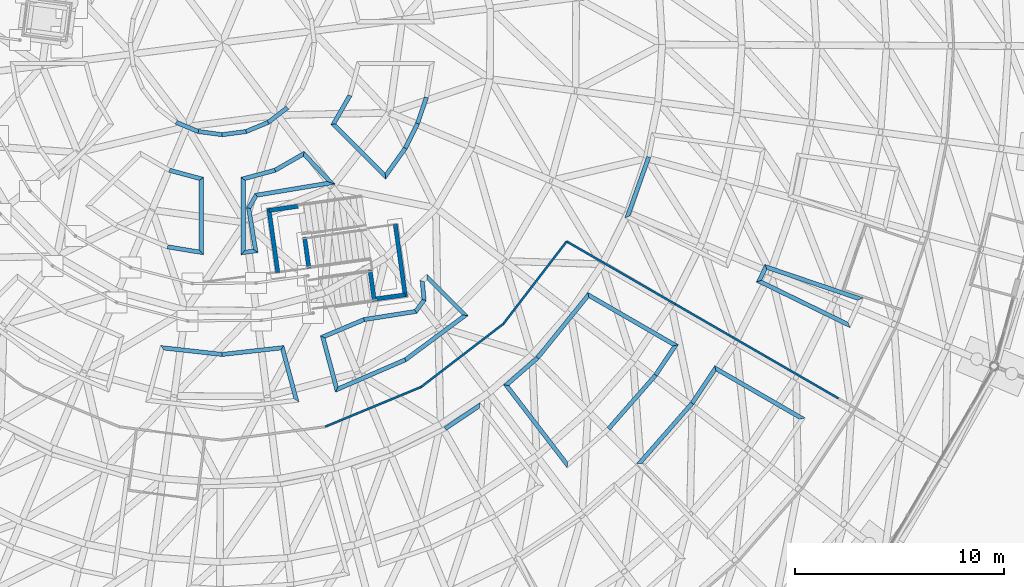
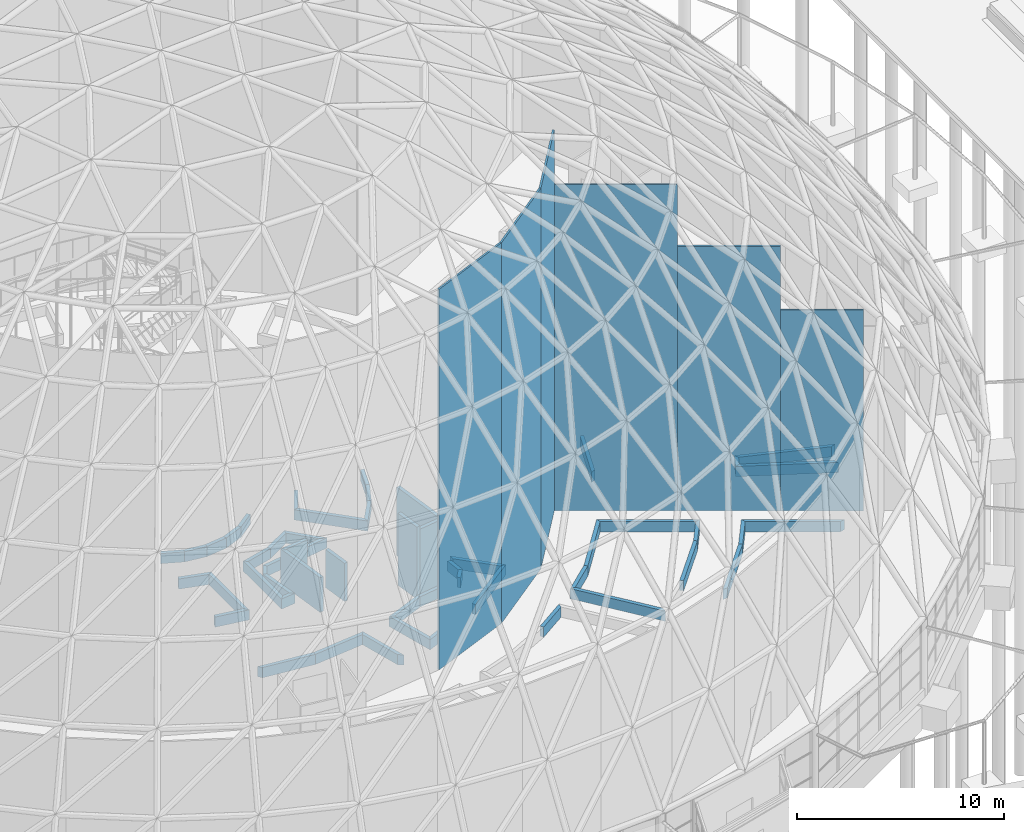
# One storey, part 176 of 226: 58 walls.
"""IFC4 building model written with IfcOpenShell, lengths in metres."""

from ifc_helpers import new_model, si_unit, direction, frame, frame_2d, origin, place, context, subcontext, project, spatial, polyline, rectangle, outline, extrude, material, layer, layer_set, type_object, element, save


model = new_model("IFC4")

# Units and contexts
model_context = context("Model", 3, precision=1e-05, world=origin(), true_north=direction((0.0, 1.0)))
body_context = subcontext(model_context, "Body", "Model", "MODEL_VIEW")
ifc_project = project(units=[si_unit("LENGTHUNIT", "METRE"), si_unit("AREAUNIT", "SQUARE_METRE"), si_unit("VOLUMEUNIT", "CUBIC_METRE"), si_unit("PLANEANGLEUNIT", "RADIAN"), si_unit("MASSUNIT", "GRAM", prefix="KILO")], contexts=[model_context])

# Site, building, storey
site_placement = place(None, origin())
site = spatial("IfcSite", under=ifc_project, at=site_placement, CompositionType="ELEMENT")
building_placement = place(site_placement, origin())
building = spatial("IfcBuilding", under=site, at=building_placement, Name="Ceibo Conservatory and Research Tower", CompositionType="ELEMENT")
storey_placement = place(building_placement, origin())
storey = spatial("IfcBuildingStorey", under=building, at=storey_placement, Name="L00", CompositionType="ELEMENT", Elevation=0.0)

# Walls
ifc_material_1 = material(Name="Aluminium and glass", Category="aluminium")
ifc_layer_1 = layer(ifc_material_1, 0.10009765625)
ifc_layer_set_1 = layer_set([ifc_layer_1], Name="Aluminium and glass")
wall_type_1 = type_object("IfcWallType", Name="Airlock screen wall 100", PredefinedType="PARTITIONING", material=ifc_layer_set_1)
for number, where, z_axis, x_axis, name in (
    (1, (160.91748046875, 89.6474609375, 0.0), (0.0, 0.0, 1.0), (0.923893254961, 0.382650301762, 0.0), "Glazed partition I"),
    (2, (165.5, 91.54541015625, 0.0), (0.0, 0.0, 1.0), (0.793348024649, 0.608768356425, 0.0), "Glazed partition I"),
):
    element("IfcWall", number, at=place(storey_placement, frame(where, z_axis=z_axis, x_axis=x_axis)), inside=storey, type_object=wall_type_1, Name=name, PredefinedType="PARTITIONING", context=body_context, shape_type="SweptSolid", body=[
        extrude(outline(polyline([(-0.006591796875, -0.050048828125), (4.966552734375, -0.050048828125), (4.953369140625, 0.050048828125), (0.006591796875, 0.050048828125), (-0.006591796875, -0.050048828125)])), origin(), (0.0, 0.0, 1.0), 22.484130859375),
    ])
wall_1_placement = place(storey_placement, frame((169.43505859375, 94.56494140625, 0.0), z_axis=(0.0, 0.0, 1.0), x_axis=(0.608768356425, 0.793348024649, 0.0)))
element("IfcWall", 3, at=wall_1_placement, inside=storey, type_object=wall_type_1, Name="Glazed partition I", PredefinedType="PARTITIONING", context=body_context, shape_type="SweptSolid", body=[
    extrude(outline(polyline([(-0.006591796875, -0.050048828125), (4.9599609375, -0.050048828125), (4.9599609375, 0.050048828125), (0.006591796875, 0.050048828125), (-0.006591796875, -0.050048828125)])), origin(), (0.0, 0.0, 1.0), 22.484130859375),
])
wall_2_placement = place(storey_placement, frame((172.454833984375, 98.499755859375, 0.0), z_axis=(0.0, 0.0, 1.0), x_axis=(0.866028371585, -0.499994859584, 0.0)))
element("IfcWall", 4, at=wall_2_placement, inside=storey, type_object=wall_type_1, Name="Glazed partition R", PredefinedType="PARTITIONING", context=body_context, shape_type="SweptSolid", body=[
    extrude(rectangle(XDim=5.99951171875, YDim=0.10009765625, at=frame_2d((2.999755859375, 0.0))), origin(), (0.0, 0.0, 1.0), 19.278076171875),
])
wall_3_placement = place(storey_placement, frame((177.650634765625, 95.5, 0.0), z_axis=(0.0, 0.0, 1.0), x_axis=(0.866022959057, -0.500004234368, 0.0)))
element("IfcWall", 5, at=wall_3_placement, inside=storey, type_object=wall_type_1, Name="Glazed partition R", PredefinedType="PARTITIONING", context=body_context, shape_type="SweptSolid", body=[
    extrude(rectangle(XDim=5.0, YDim=0.10009765625, at=frame_2d((2.5, 0.0))), origin(), (0.0, 0.0, 1.0), 15.635498046875),
])
wall_4_placement = place(storey_placement, frame((181.980712890625, 93.0, 0.0), z_axis=(0.0, 0.0, 1.0), x_axis=(0.866026010844, -0.49999894854, 0.0)))
element("IfcWall", 6, at=wall_4_placement, inside=storey, type_object=wall_type_1, Name="Glazed partition R", PredefinedType="PARTITIONING", context=body_context, shape_type="SweptSolid", body=[
    extrude(rectangle(XDim=4.0, YDim=0.10009765625, at=frame_2d((2.0, 0.0))), origin(), (0.0, 0.0, 1.0), 11.876220703125),
])
ifc_material_2 = material(Name="Masonry blockwork", Category="masonry")
ifc_layer_2 = layer(ifc_material_2, 0.199951171875)
ifc_layer_set_2 = layer_set([ifc_layer_2], Name="Masonry blockwork")
wall_type_2 = type_object("IfcWallType", Name="Dome planter wall 200", PredefinedType="SOLIDWALL", material=ifc_layer_set_2)
wall_5_placement = place(storey_placement, frame((153.800537109375, 104.190185546875, 0.0), z_axis=(0.0, 0.0, 1.0), x_axis=(0.923861333802, -0.382727364981, 0.0)))
element("IfcWall", 7, at=wall_5_placement, inside=storey, type_object=wall_type_2, Name="Planter wall A-PB001", PredefinedType="SOLIDWALL", context=body_context, shape_type="SweptSolid", body=[
    extrude(outline(polyline([(-0.01318359375, -0.10009765625), (1.161376953125, -0.10009765625), (1.135009765625, 0.10009765625), (0.01318359375, 0.10009765625), (-0.01318359375, -0.10009765625)])), origin(), (0.0, 0.0, 1.0), 0.60009765625),
])
for number, where, z_axis, x_axis, name in (
    (8, (154.861328125, 103.750732421875, 0.0), (0.0, 0.0, 1.0), (0.991445610946, -0.130520498525, 0.0), "Planter wall A-PB001"),
    (9, (156.0, 103.600830078125, 0.0), (0.0, 0.0, 1.0), (0.991445610946, 0.130520498525, 0.0), "Planter wall A-PB001"),
):
    element("IfcWall", number, at=place(storey_placement, frame(where, z_axis=z_axis, x_axis=x_axis)), inside=storey, type_object=wall_type_2, Name=name, PredefinedType="SOLIDWALL", context=body_context, shape_type="SweptSolid", body=[
        extrude(outline(polyline([(-0.01318359375, -0.10009765625), (1.16162109375, -0.10009765625), (1.13525390625, 0.10009765625), (0.01318359375, 0.10009765625), (-0.01318359375, -0.10009765625)])), origin(), (0.0, 0.0, 1.0), 0.60009765625),
    ])
wall_6_placement = place(storey_placement, frame((157.138671875, 103.750732421875, 0.0), z_axis=(0.0, 0.0, 1.0), x_axis=(0.923861333802, 0.382727364981, 0.0)))
element("IfcWall", 10, at=wall_6_placement, inside=storey, type_object=wall_type_2, Name="Planter wall A-PB001", PredefinedType="SOLIDWALL", context=body_context, shape_type="SweptSolid", body=[
    extrude(outline(polyline([(-0.01318359375, -0.10009765625), (1.161376953125, -0.10009765625), (1.135009765625, 0.10009765625), (0.01318359375, 0.10009765625), (-0.01318359375, -0.10009765625)])), origin(), (0.0, 0.0, 1.0), 0.60009765625),
])
wall_7_placement = place(storey_placement, frame((158.199462890625, 104.190185546875, 0.0), z_axis=(0.0, 0.0, 1.0), x_axis=(0.793318876541, 0.608806340411, 0.0)))
element("IfcWall", 11, at=wall_7_placement, inside=storey, type_object=wall_type_2, Name="Planter wall A-PB001", PredefinedType="SOLIDWALL", context=body_context, shape_type="SweptSolid", body=[
    extrude(outline(polyline([(-0.01318359375, -0.10009765625), (1.16162109375, -0.10009765625), (1.13525390625, 0.10009765625), (0.01318359375, 0.10009765625), (-0.01318359375, -0.10009765625)])), origin(), (0.0, 0.0, 1.0), 0.60009765625),
])
wall_8_placement = place(storey_placement, frame((153.3876953125, 98.244384765625, 0.0), z_axis=(0.0, 0.0, 1.0), x_axis=(0.986530851603, -0.163575300198, 0.0)))
element("IfcWall", 12, at=wall_8_placement, inside=storey, type_object=wall_type_2, Name="Planter wall A-PB007", PredefinedType="SOLIDWALL", context=body_context, shape_type="SweptSolid", body=[
    extrude(outline(polyline([(-0.011474609375, -0.10009765625), (1.752197265625, -0.10009765625), (1.516357421875, 0.10009765625), (0.011474609375, 0.10009765625), (-0.011474609375, -0.10009765625)])), origin(), (0.0, 0.0, 1.0), 0.60009765625),
])
wall_9_placement = place(storey_placement, frame((155.0, 97.97705078125, 0.0), z_axis=(0.0, 0.0, 1.0), x_axis=(0.0, 1.0, 0.0)))
element("IfcWall", 13, at=wall_9_placement, inside=storey, type_object=wall_type_2, Name="Planter wall A-PB007", PredefinedType="SOLIDWALL", context=body_context, shape_type="SweptSolid", body=[
    extrude(outline(polyline([(-0.117919921875, -0.10009765625), (3.5888671875, -0.10009765625), (3.435546875, 0.10009765625), (0.117919921875, 0.10009765625), (-0.117919921875, -0.10009765625)])), origin(), (0.0, 0.0, 1.0), 0.60009765625),
])
wall_10_placement = place(storey_placement, frame((155.0, 101.4892578125, 0.0), z_axis=(0.0, 0.0, 1.0), x_axis=(-0.965381262901, 0.260842897623, 0.0)))
element("IfcWall", 14, at=wall_10_placement, inside=storey, type_object=wall_type_2, Name="Planter wall A-PB007", PredefinedType="SOLIDWALL", context=body_context, shape_type="SweptSolid", body=[
    extrude(outline(polyline([(-0.07666015625, -0.10009765625), (1.56787109375, -0.10009765625), (1.59375, 0.10009765625), (0.07666015625, 0.10009765625), (-0.07666015625, -0.10009765625)])), origin(), (0.0, 0.0, 1.0), 0.60009765625),
])
wall_11_placement = place(storey_placement, frame((157.0, 97.97265625, 0.0), z_axis=(0.0, 0.0, 1.0), x_axis=(0.991886901255, 0.127123464079, 0.0)))
element("IfcWall", 15, at=wall_11_placement, inside=storey, type_object=wall_type_2, Name="Planter wall A-PB008", PredefinedType="SOLIDWALL", context=body_context, shape_type="SweptSolid", body=[
    extrude(outline(polyline([(-0.113525390625, -0.10009765625), (0.70654296875, -0.10009765625), (0.49951171875, 0.10009765625), (0.113525390625, 0.10009765625), (-0.113525390625, -0.10009765625)])), origin(), (0.0, 0.0, 1.0), 0.60009765625),
])
wall_12_placement = place(storey_placement, frame((157.59814453125, 98.04931640625, 0.0), z_axis=(0.0, 0.0, 1.0), x_axis=(-0.161857773506, 0.986814096553, 0.0)))
element("IfcWall", 16, at=wall_12_placement, inside=storey, type_object=wall_type_2, Name="Planter wall A-PB008", PredefinedType="SOLIDWALL", context=body_context, shape_type="SweptSolid", body=[
    extrude(outline(polyline([(-0.103515625, -0.10009765625), (2.0361328125, -0.10009765625), (2.10888671875, 0.10009765625), (0.103515625, 0.10009765625), (-0.103515625, -0.10009765625)])), origin(), (0.0, 0.0, 1.0), 0.60009765625),
])
wall_13_placement = place(storey_placement, frame((157.2626953125, 100.094482421875, 0.0), z_axis=(0.0, 0.0, 1.0), x_axis=(0.510356601968, 0.85996287061, 0.0)))
element("IfcWall", 17, at=wall_13_placement, inside=storey, type_object=wall_type_2, Name="Planter wall A-PB008", PredefinedType="SOLIDWALL", context=body_context, shape_type="SweptSolid", body=[
    extrude(outline(polyline([(0.036376953125, -0.10009765625), (0.666015625, -0.10009765625), (0.7587890625, 0.10009765625), (-0.036376953125, 0.10009765625), (0.036376953125, -0.10009765625)])), origin(), (0.0, 0.0, 1.0), 0.60009765625),
])
wall_14_placement = place(storey_placement, frame((157.626220703125, 100.70703125, 0.0), z_axis=(0.0, 0.0, 1.0), x_axis=(0.98635016921, 0.164661299944, 0.0)))
element("IfcWall", 18, at=wall_14_placement, inside=storey, type_object=wall_type_2, Name="Planter wall A-PB008", PredefinedType="SOLIDWALL", context=body_context, shape_type="SweptSolid", body=[
    extrude(outline(polyline([(0.04638671875, -0.10009765625), (3.8095703125, -0.10009765625), (3.43505859375, 0.10009765625), (-0.04638671875, 0.10009765625), (0.04638671875, -0.10009765625)])), origin(), (0.0, 0.0, 1.0), 0.60009765625),
])
wall_15_placement = place(storey_placement, frame((161.198974609375, 101.303466796875, 0.0), z_axis=(0.0, 0.0, 1.0), x_axis=(-0.685744929287, 0.727841941603, 0.0)))
element("IfcWall", 19, at=wall_15_placement, inside=storey, type_object=wall_type_2, Name="Planter wall A-PB008", PredefinedType="SOLIDWALL", context=body_context, shape_type="SweptSolid", body=[
    extrude(outline(polyline([(-0.187255859375, -0.10009765625), (1.981201171875, -0.10009765625), (1.823486328125, 0.10009765625), (0.187255859375, 0.10009765625), (-0.187255859375, -0.10009765625)])), origin(), (0.0, 0.0, 1.0), 0.60009765625),
])
wall_16_placement = place(storey_placement, frame((159.89453125, 102.68798828125, 0.0), z_axis=(0.0, 0.0, 1.0), x_axis=(-0.867031610766, -0.498253134394, 0.0)))
element("IfcWall", 20, at=wall_16_placement, inside=storey, type_object=wall_type_2, Name="Planter wall A-PB008", PredefinedType="SOLIDWALL", context=body_context, shape_type="SweptSolid", body=[
    extrude(outline(polyline([(-0.078857421875, -0.10009765625), (1.5654296875, -0.10009765625), (1.59130859375, 0.10009765625), (0.078857421875, 0.10009765625), (-0.078857421875, -0.10009765625)])), origin(), (0.0, 0.0, 1.0), 0.60009765625),
])
wall_17_placement = place(storey_placement, frame((158.526123046875, 101.901611328125, 0.0), z_axis=(0.0, 0.0, 1.0), x_axis=(-0.965381262901, -0.260842897623, 0.0)))
element("IfcWall", 21, at=wall_17_placement, inside=storey, type_object=wall_type_2, Name="Planter wall A-PB008", PredefinedType="SOLIDWALL", context=body_context, shape_type="SweptSolid", body=[
    extrude(outline(polyline([(0.012939453125, -0.10009765625), (1.657470703125, -0.10009765625), (1.504150390625, 0.10009765625), (-0.012939453125, 0.10009765625), (0.012939453125, -0.10009765625)])), origin(), (0.0, 0.0, 1.0), 0.60009765625),
])
wall_18_placement = place(storey_placement, frame((157.0, 101.4892578125, 0.0), z_axis=(0.0, 0.0, 1.0), x_axis=(0.0, -1.0, 0.0)))
element("IfcWall", 22, at=wall_18_placement, inside=storey, type_object=wall_type_2, Name="Planter wall A-PB008", PredefinedType="SOLIDWALL", context=body_context, shape_type="SweptSolid", body=[
    extrude(outline(polyline([(-0.07666015625, -0.10009765625), (3.630126953125, -0.10009765625), (3.403076171875, 0.10009765625), (0.07666015625, 0.10009765625), (-0.07666015625, -0.10009765625)])), origin(), (0.0, 0.0, 1.0), 0.60009765625),
])
wall_19_placement = place(storey_placement, frame((163.79443359375, 101.61962890625, 0.0), z_axis=(0.0, 0.0, 1.0), x_axis=(0.581816192891, 0.813320304487, 0.0)))
element("IfcWall", 23, at=wall_19_placement, inside=storey, type_object=wall_type_2, Name="Planter wall A-PB009", PredefinedType="SOLIDWALL", context=body_context, shape_type="SweptSolid", body=[
    extrude(outline(polyline([(-0.117919921875, -0.10009765625), (1.645751953125, -0.10009765625), (1.629638671875, 0.10009765625), (0.117919921875, 0.10009765625), (-0.117919921875, -0.10009765625)])), origin(), (0.0, 0.0, 1.0), 0.60009765625),
])
wall_20_placement = place(storey_placement, frame((164.747314453125, 102.95166015625, 0.0), z_axis=(0.0, 0.0, 1.0), x_axis=(0.442396458612, 0.896819587993, 0.0)))
element("IfcWall", 24, at=wall_20_placement, inside=storey, type_object=wall_type_2, Name="Planter wall A-PB009", PredefinedType="SOLIDWALL", context=body_context, shape_type="SweptSolid", body=[
    extrude(outline(polyline([(-0.008056640625, -0.10009765625), (1.326171875, -0.10009765625), (1.31298828125, 0.10009765625), (0.008056640625, 0.10009765625), (-0.008056640625, -0.10009765625)])), origin(), (0.0, 0.0, 1.0), 0.60009765625),
])
wall_21_placement = place(storey_placement, frame((165.3310546875, 104.135009765625, 0.0), z_axis=(0.0, 0.0, 1.0), x_axis=(0.321385230641, 0.94694853795, 0.0)))
element("IfcWall", 25, at=wall_21_placement, inside=storey, type_object=wall_type_2, Name="Planter wall A-PB009", PredefinedType="SOLIDWALL", context=body_context, shape_type="SweptSolid", body=[
    extrude(outline(polyline([(-0.006591796875, -0.10009765625), (1.32763671875, -0.10009765625), (1.3115234375, 0.10009765625), (0.006591796875, 0.10009765625), (-0.006591796875, -0.10009765625)])), origin(), (0.0, 0.0, 1.0), 0.60009765625),
])
wall_22_placement = place(storey_placement, frame((162.098388671875, 105.473876953125, 0.0), z_axis=(0.0, 0.0, 1.0), x_axis=(-0.498233166032, -0.867043085588, 0.0)))
element("IfcWall", 26, at=wall_22_placement, inside=storey, type_object=wall_type_2, Name="Planter wall A-PB009", PredefinedType="SOLIDWALL", context=body_context, shape_type="SweptSolid", body=[
    extrude(outline(polyline([(0.012939453125, -0.10009765625), (1.657470703125, -0.10009765625), (1.504150390625, 0.10009765625), (-0.012939453125, 0.10009765625), (0.012939453125, -0.10009765625)])), origin(), (0.0, 0.0, 1.0), 0.60009765625),
])
wall_23_placement = place(storey_placement, frame((161.310791015625, 104.103271484375, 0.0), z_axis=(0.0, 0.0, 1.0), x_axis=(0.707106781187, -0.707106781187, 0.0)))
element("IfcWall", 27, at=wall_23_placement, inside=storey, type_object=wall_type_2, Name="Planter wall A-PB009", PredefinedType="SOLIDWALL", context=body_context, shape_type="SweptSolid", body=[
    extrude(outline(polyline([(-0.07666015625, -0.10009765625), (3.63037109375, -0.10009765625), (3.39453125, 0.10009765625), (0.07666015625, 0.10009765625), (-0.07666015625, -0.10009765625)])), origin(), (0.0, 0.0, 1.0), 0.60009765625),
])
wall_24_placement = place(storey_placement, frame((159.5439453125, 90.909912109375, 0.0), z_axis=(0.0, 0.0, 1.0), x_axis=(-0.258797147923, 0.965931693355, 0.0)))
element("IfcWall", 28, at=wall_24_placement, inside=storey, type_object=wall_type_2, Name="Planter wall A-PB018", PredefinedType="SOLIDWALL", context=body_context, shape_type="SweptSolid", body=[
    extrude(outline(polyline([(-0.115966796875, -0.10009765625), (2.68408203125, -0.10009765625), (2.51220703125, 0.10009765625), (0.115966796875, 0.10009765625), (-0.115966796875, -0.10009765625)])), origin(), (0.0, 0.0, 1.0), 0.60009765625),
])
wall_25_placement = place(storey_placement, frame((158.87158203125, 93.41943359375, 0.0), z_axis=(0.0, 0.0, 1.0), x_axis=(-0.993845549058, -0.11077465693, 0.0)))
element("IfcWall", 29, at=wall_25_placement, inside=storey, type_object=wall_type_2, Name="Planter wall A-PB018", PredefinedType="SOLIDWALL", context=body_context, shape_type="SweptSolid", body=[
    extrude(outline(polyline([(-0.0859375, -0.10009765625), (2.878173828125, -0.10009765625), (2.900634765625, 0.10009765625), (0.0859375, 0.10009765625), (-0.0859375, -0.10009765625)])), origin(), (0.0, 0.0, 1.0), 0.60009765625),
])
wall_26_placement = place(storey_placement, frame((156.0, 93.099365234375, 0.0), z_axis=(0.0, 0.0, 1.0), x_axis=(-0.993845549058, 0.11077465693, 0.0)))
element("IfcWall", 30, at=wall_26_placement, inside=storey, type_object=wall_type_2, Name="Planter wall A-PB018", PredefinedType="SOLIDWALL", context=body_context, shape_type="SweptSolid", body=[
    extrude(outline(polyline([(0.01123046875, -0.10009765625), (2.975341796875, -0.10009765625), (2.803466796875, 0.10009765625), (-0.01123046875, 0.10009765625), (0.01123046875, -0.10009765625)])), origin(), (0.0, 0.0, 1.0), 0.60009765625),
])
wall_27_placement = place(storey_placement, frame((161.475830078125, 91.427490234375, 0.0), z_axis=(0.0, 0.0, 1.0), x_axis=(0.917655457797, 0.397376975647, 0.0)))
element("IfcWall", 31, at=wall_27_placement, inside=storey, type_object=wall_type_2, Name="Planter wall A-PB019", PredefinedType="SOLIDWALL", context=body_context, shape_type="SweptSolid", body=[
    extrude(outline(polyline([(-0.115966796875, -0.10009765625), (3.5791015625, -0.10009765625), (3.55615234375, 0.10009765625), (0.115966796875, 0.10009765625), (-0.115966796875, -0.10009765625)])), origin(), (0.0, 0.0, 1.0), 0.60009765625),
])
wall_28_placement = place(storey_placement, frame((164.749755859375, 92.84521484375, 0.0), z_axis=(0.0, 0.0, 1.0), x_axis=(0.802971240862, 0.596017773517, 0.0)))
element("IfcWall", 32, at=wall_28_placement, inside=storey, type_object=wall_type_2, Name="Planter wall A-PB019", PredefinedType="SOLIDWALL", context=body_context, shape_type="SweptSolid", body=[
    extrude(outline(polyline([(-0.011474609375, -0.10009765625), (3.683349609375, -0.10009765625), (3.451416015625, 0.10009765625), (0.011474609375, 0.10009765625), (-0.011474609375, -0.10009765625)])), origin(), (0.0, 0.0, 1.0), 0.60009765625),
])
wall_29_placement = place(storey_placement, frame((167.6142578125, 94.971435546875, 0.0), z_axis=(0.0, 0.0, 1.0), x_axis=(-0.707106781187, 0.707106781187, 0.0)))
element("IfcWall", 33, at=wall_29_placement, inside=storey, type_object=wall_type_2, Name="Planter wall A-PB019", PredefinedType="SOLIDWALL", context=body_context, shape_type="SweptSolid", body=[
    extrude(outline(polyline([(-0.115966796875, -0.10009765625), (2.684326171875, -0.10009765625), (2.496826171875, 0.10009765625), (0.115966796875, 0.10009765625), (-0.115966796875, -0.10009765625)])), origin(), (0.0, 0.0, 1.0), 0.60009765625),
])
wall_30_placement = place(storey_placement, frame((165.556640625, 96.60498046875, 0.0), z_axis=(0.0, 0.0, 1.0), x_axis=(0.096795487446, -0.995304291968, 0.0)))
element("IfcWall", 34, at=wall_30_placement, inside=storey, type_object=wall_type_2, Name="Planter wall A-PB019", PredefinedType="SOLIDWALL", context=body_context, shape_type="SweptSolid", body=[
    extrude(outline(polyline([(-0.05126953125, -0.10009765625), (0.8720703125, -0.10009765625), (0.94921875, 0.10009765625), (0.05126953125, 0.10009765625), (-0.05126953125, -0.10009765625)])), origin(), (0.0, 0.0, 1.0), 0.60009765625),
])
wall_31_placement = place(storey_placement, frame((165.644775390625, 95.69873046875, 0.0), z_axis=(0.0, 0.0, 1.0), x_axis=(-0.5961316626, -0.802886692408, 0.0)))
element("IfcWall", 35, at=wall_31_placement, inside=storey, type_object=wall_type_2, Name="Planter wall A-PB019", PredefinedType="SOLIDWALL", context=body_context, shape_type="SweptSolid", body=[
    extrude(outline(polyline([(0.03857421875, -0.10009765625), (0.636962890625, -0.10009765625), (0.718505859375, 0.10009765625), (-0.03857421875, 0.10009765625), (0.03857421875, -0.10009765625)])), origin(), (0.0, 0.0, 1.0), 0.60009765625),
])
wall_32_placement = place(storey_placement, frame((165.24072265625, 95.154541015625, 0.0), z_axis=(0.0, 0.0, 1.0), x_axis=(-0.987706587317, -0.156319216256, 0.0)))
element("IfcWall", 36, at=wall_32_placement, inside=storey, type_object=wall_type_2, Name="Planter wall A-PB019", PredefinedType="SOLIDWALL", context=body_context, shape_type="SweptSolid", body=[
    extrude(outline(polyline([(0.040771484375, -0.10009765625), (2.508056640625, -0.10009765625), (2.483642578125, 0.10009765625), (-0.040771484375, 0.10009765625), (0.040771484375, -0.10009765625)])), origin(), (0.0, 0.0, 1.0), 0.60009765625),
])
wall_33_placement = place(storey_placement, frame((162.775634765625, 94.764404296875, 0.0), z_axis=(0.0, 0.0, 1.0), x_axis=(-0.921914445418, -0.38739354064, 0.0)))
element("IfcWall", 37, at=wall_33_placement, inside=storey, type_object=wall_type_2, Name="Planter wall A-PB019", PredefinedType="SOLIDWALL", context=body_context, shape_type="SweptSolid", body=[
    extrude(outline(polyline([(-0.01220703125, -0.10009765625), (2.22607421875, -0.10009765625), (2.0517578125, 0.10009765625), (0.01220703125, 0.10009765625), (-0.01220703125, -0.10009765625)])), origin(), (0.0, 0.0, 1.0), 0.60009765625),
])
wall_34_placement = place(storey_placement, frame((160.8037109375, 93.935791015625, 0.0), z_axis=(0.0, 0.0, 1.0), x_axis=(0.258826939486, -0.965923710961, 0.0)))
element("IfcWall", 38, at=wall_34_placement, inside=storey, type_object=wall_type_2, Name="Planter wall A-PB019", PredefinedType="SOLIDWALL", context=body_context, shape_type="SweptSolid", body=[
    extrude(outline(polyline([(-0.087158203125, -0.10009765625), (2.712646484375, -0.10009765625), (2.480712890625, 0.10009765625), (0.087158203125, 0.10009765625), (-0.087158203125, -0.10009765625)])), origin(), (0.0, 0.0, 1.0), 0.60009765625),
])
wall_35_placement = place(storey_placement, frame((176.381103515625, 102.5380859375, 0.0), z_axis=(0.0, 0.0, 1.0), x_axis=(-0.336534539762, -0.941671122817, 0.0)))
element("IfcWall", 39, at=wall_35_placement, inside=storey, type_object=wall_type_2, Name="Planter wall A-PB020", PredefinedType="SOLIDWALL", context=body_context, shape_type="SweptSolid", body=[
    extrude(outline(polyline([(0.00732421875, -0.10009765625), (3.133544921875, -0.10009765625), (2.954345703125, 0.10009765625), (-0.00732421875, 0.10009765625), (0.00732421875, -0.10009765625)])), origin(), (0.0, 0.0, 1.0), 0.60009765625),
])
wall_36_placement = place(storey_placement, frame((181.97802734375, 97.28076171875, 0.0), z_axis=(0.0, 0.0, 1.0), x_axis=(-0.442153277977, -0.896939506753, 0.0)))
element("IfcWall", 40, at=wall_36_placement, inside=storey, type_object=wall_type_2, Name="Planter wall A-PB022", PredefinedType="SOLIDWALL", context=body_context, shape_type="SweptSolid", body=[
    extrude(outline(polyline([(-0.087646484375, -0.10009765625), (0.85400390625, -0.10009765625), (0.6533203125, 0.10009765625), (0.087646484375, 0.10009765625), (-0.087646484375, -0.10009765625)])), origin(), (0.0, 0.0, 1.0), 0.60009765625),
])
wall_37_placement = place(storey_placement, frame((181.644775390625, 96.604736328125, 0.0), z_axis=(0.0, 0.0, 1.0), x_axis=(0.898801785594, -0.438355278528, 0.0)))
element("IfcWall", 41, at=wall_37_placement, inside=storey, type_object=wall_type_2, Name="Planter wall A-PB022", PredefinedType="SOLIDWALL", context=body_context, shape_type="SweptSolid", body=[
    extrude(outline(polyline([(-0.100341796875, -0.10009765625), (4.888916015625, -0.10009765625), (4.681884765625, 0.10009765625), (0.100341796875, 0.10009765625), (-0.100341796875, -0.10009765625)])), origin(), (0.0, 0.0, 1.0), 0.60009765625),
])
wall_38_placement = place(storey_placement, frame((186.499267578125, 95.74609375, 0.0), z_axis=(0.0, 0.0, 1.0), x_axis=(-0.946935629969, 0.321423260974, 0.0)))
element("IfcWall", 42, at=wall_38_placement, inside=storey, type_object=wall_type_2, Name="Planter wall A-PB022", PredefinedType="SOLIDWALL", context=body_context, shape_type="SweptSolid", body=[
    extrude(outline(polyline([(-0.109619140625, -0.10009765625), (4.8623046875, -0.10009765625), (4.68701171875, 0.10009765625), (0.109619140625, 0.10009765625), (-0.109619140625, -0.10009765625)])), origin(), (0.0, 0.0, 1.0), 0.60009765625),
])
wall_39_placement = place(storey_placement, frame((168.300048828125, 90.656005859375, 0.0), z_axis=(0.0, 0.0, 1.0), x_axis=(-0.83144410679, -0.555608402821, 0.0)))
element("IfcWall", 43, at=wall_39_placement, inside=storey, type_object=wall_type_2, Name="Planter wall A-PB051", PredefinedType="SOLIDWALL", context=body_context, shape_type="SweptSolid", body=[
    extrude(outline(polyline([(-0.09375, -0.10009765625), (1.977783203125, -0.10009765625), (1.990966796875, 0.10009765625), (0.09375, 0.10009765625), (-0.09375, -0.10009765625)])), origin(), (0.0, 0.0, 1.0), 0.60009765625),
])
wall_40_placement = place(storey_placement, frame((169.569580078125, 91.630126953125, 0.0), z_axis=(0.0, 0.0, 1.0), x_axis=(0.608729443134, -0.793377882892, 0.0)))
element("IfcWall", 44, at=wall_40_placement, inside=storey, type_object=wall_type_2, Name="Planter wall A-PB052", PredefinedType="SOLIDWALL", context=body_context, shape_type="SweptSolid", body=[
    extrude(outline(polyline([(-0.09375, -0.10009765625), (4.90625, -0.10009765625), (4.69287109375, 0.10009765625), (0.09375, 0.10009765625), (-0.09375, -0.10009765625)])), origin(), (0.0, 0.0, 1.0), 0.60009765625),
])
wall_41_placement = place(storey_placement, frame((174.455322265625, 89.544677734375, 0.0), z_axis=(0.0, 0.0, 1.0), x_axis=(0.65932436962, 0.751858614119, 0.0)))
element("IfcWall", 45, at=wall_41_placement, inside=storey, type_object=wall_type_2, Name="Planter wall A-PB052", PredefinedType="SOLIDWALL", context=body_context, shape_type="SweptSolid", body=[
    extrude(outline(polyline([(-0.006591796875, -0.10009765625), (3.420654296875, -0.10009765625), (3.407470703125, 0.10009765625), (0.006591796875, 0.10009765625), (-0.006591796875, -0.10009765625)])), origin(), (0.0, 0.0, 1.0), 0.60009765625),
])
wall_42_placement = place(storey_placement, frame((176.706298828125, 92.111572265625, 0.0), z_axis=(0.0, 0.0, 1.0), x_axis=(0.555556361297, 0.831478880924, 0.0)))
element("IfcWall", 46, at=wall_42_placement, inside=storey, type_object=wall_type_2, Name="Planter wall A-PB052", PredefinedType="SOLIDWALL", context=body_context, shape_type="SweptSolid", body=[
    extrude(outline(polyline([(-0.006591796875, -0.10009765625), (1.817138671875, -0.10009765625), (1.603759765625, 0.10009765625), (0.006591796875, 0.10009765625), (-0.006591796875, -0.10009765625)])), origin(), (0.0, 0.0, 1.0), 0.60009765625),
])
wall_43_placement = place(storey_placement, frame((177.656494140625, 93.53369140625, 0.0), z_axis=(0.0, 0.0, 1.0), x_axis=(-0.866028295127, 0.499994992015, 0.0)))
element("IfcWall", 47, at=wall_43_placement, inside=storey, type_object=wall_type_2, Name="Planter wall A-PB052", PredefinedType="SOLIDWALL", context=body_context, shape_type="SweptSolid", body=[
    extrude(outline(polyline([(-0.106689453125, -0.10009765625), (4.89306640625, -0.10009765625), (4.72216796875, 0.10009765625), (0.106689453125, 0.10009765625), (-0.106689453125, -0.10009765625)])), origin(), (0.0, 0.0, 1.0), 0.60009765625),
])
wall_44_placement = place(storey_placement, frame((173.492919921875, 95.9375, 0.0), z_axis=(0.0, 0.0, 1.0), x_axis=(-0.629689500083, -0.776846917665, 0.0)))
element("IfcWall", 48, at=wall_44_placement, inside=storey, type_object=wall_type_2, Name="Planter wall A-PB052", PredefinedType="SOLIDWALL", context=body_context, shape_type="SweptSolid", body=[
    extrude(outline(polyline([(-0.08544921875, -0.10009765625), (3.850341796875, -0.10009765625), (3.867431640625, 0.10009765625), (0.08544921875, 0.10009765625), (-0.08544921875, -0.10009765625)])), origin(), (0.0, 0.0, 1.0), 0.60009765625),
])
wall_45_placement = place(storey_placement, frame((171.06298828125, 92.939697265625, 0.0), z_axis=(0.0, 0.0, 1.0), x_axis=(-0.751868141396, -0.659313505059, 0.0)))
element("IfcWall", 49, at=wall_45_placement, inside=storey, type_object=wall_type_2, Name="Planter wall A-PB052", PredefinedType="SOLIDWALL", context=body_context, shape_type="SweptSolid", body=[
    extrude(outline(polyline([(0.008544921875, -0.10009765625), (2.080078125, -0.10009765625), (1.892578125, 0.10009765625), (-0.008544921875, 0.10009765625), (0.008544921875, -0.10009765625)])), origin(), (0.0, 0.0, 1.0), 0.60009765625),
])
wall_46_placement = place(storey_placement, frame((183.71875, 90.03369140625, 0.0), z_axis=(0.0, 0.0, 1.0), x_axis=(-0.866033957331, 0.499985184529, 0.0)))
element("IfcWall", 50, at=wall_46_placement, inside=storey, type_object=wall_type_2, Name="Planter wall A-PB061", PredefinedType="SOLIDWALL", context=body_context, shape_type="SweptSolid", body=[
    extrude(outline(polyline([(-0.106689453125, -0.10009765625), (4.893310546875, -0.10009765625), (4.705810546875, 0.10009765625), (0.106689453125, 0.10009765625), (-0.106689453125, -0.10009765625)])), origin(), (0.0, 0.0, 1.0), 0.60009765625),
])
wall_47_placement = place(storey_placement, frame((179.562255859375, 92.433349609375, 0.0), z_axis=(0.0, 0.0, 1.0), x_axis=(-0.555573980922, -0.831467108022, 0.0)))
element("IfcWall", 51, at=wall_47_placement, inside=storey, type_object=wall_type_2, Name="Planter wall A-PB061", PredefinedType="SOLIDWALL", context=body_context, shape_type="SweptSolid", body=[
    extrude(outline(polyline([(-0.09375, -0.10009765625), (1.991455078125, -0.10009765625), (2.004638671875, 0.10009765625), (0.09375, 0.10009765625), (-0.09375, -0.10009765625)])), origin(), (0.0, 0.0, 1.0), 0.60009765625),
])
wall_48_placement = place(storey_placement, frame((178.4521484375, 90.77197265625, 0.0), z_axis=(0.0, 0.0, 1.0), x_axis=(-0.659361945465, -0.751825661222, 0.0)))
element("IfcWall", 52, at=wall_48_placement, inside=storey, type_object=wall_type_2, Name="Planter wall A-PB061", PredefinedType="SOLIDWALL", context=body_context, shape_type="SweptSolid", body=[
    extrude(outline(polyline([(0.006591796875, -0.10009765625), (3.919189453125, -0.10009765625), (3.738037109375, 0.10009765625), (-0.006591796875, 0.10009765625), (0.006591796875, -0.10009765625)])), origin(), (0.0, 0.0, 1.0), 0.60009765625),
])
ifc_material_3 = material(Name="Concrete C35/45", Category="concrete")
ifc_layer_3 = layer(ifc_material_3, 0.199951171875)
ifc_layer_set_3 = layer_set([ifc_layer_3], Name="Concrete C35/45")
wall_type_3 = type_object("IfcWallType", Name="Landing support wall 200", PredefinedType="SOLIDWALL", material=ifc_layer_set_3)
wall_49_placement = place(storey_placement, frame((160.140380859375, 97.221435546875, -0.25), z_axis=(0.0, 0.0, 1.0), x_axis=(-0.139165050317, 0.990269200152, 0.0)))
element("IfcWall", 53, at=wall_49_placement, inside=storey, type_object=wall_type_3, Name="Stair support wall 2.F2", PredefinedType="SOLIDWALL", context=body_context, shape_type="SweptSolid", body=[
    extrude(rectangle(XDim=1.5, YDim=0.199951171875, at=frame_2d((0.75, 0.0))), origin(), (0.0, 0.0, 1.0), 2.25),
])
wall_50_placement = place(storey_placement, frame((159.623779296875, 100.17822265625, -0.25), z_axis=(0.0, 0.0, 1.0), x_axis=(-0.990267849036, -0.139174664236, 0.0)))
element("IfcWall", 54, at=wall_50_placement, inside=storey, type_object=wall_type_3, Name="Stair support wall 2.S1", PredefinedType="SOLIDWALL", context=body_context, shape_type="SweptSolid", body=[
    extrude(rectangle(XDim=1.39990234375, YDim=0.199951171875, at=frame_2d((0.699951171875, 0.0))), origin(), (0.0, 0.0, 1.0), 2.050048828125),
])
wall_51_placement = place(storey_placement, frame((158.655029296875, 97.0126953125, -0.25), z_axis=(0.0, 0.0, 1.0), x_axis=(-0.139160708979, 0.990269810242, 0.0)))
element("IfcWall", 55, at=wall_51_placement, inside=storey, type_object=wall_type_3, Name="Stair support wall 2.P1", PredefinedType="SOLIDWALL", context=body_context, shape_type="SweptSolid", body=[
    extrude(rectangle(XDim=3.10009765625, YDim=0.199951171875, at=frame_2d((1.550048828125, 0.0))), origin(), (0.0, 0.0, 1.0), 2.050048828125),
])
wall_52_placement = place(storey_placement, frame((163.270751953125, 95.6416015625, -0.25), z_axis=(0.0, 0.0, 1.0), x_axis=(-0.139165050317, 0.990269200152, 0.0)))
element("IfcWall", 56, at=wall_52_placement, inside=storey, type_object=wall_type_3, Name="Stair support wall 2.F3", PredefinedType="SOLIDWALL", context=body_context, shape_type="SweptSolid", body=[
    extrude(rectangle(XDim=1.5, YDim=0.199951171875, at=frame_2d((0.75, 0.0))), origin(), (0.0, 0.0, 1.0), 4.25),
])
wall_53_placement = place(storey_placement, frame((164.756103515625, 95.850341796875, -0.25), z_axis=(0.0, 0.0, 1.0), x_axis=(-0.139155437714, 0.990270550988, 0.0)))
element("IfcWall", 57, at=wall_53_placement, inside=storey, type_object=wall_type_3, Name="Stair support wall 2.R2", PredefinedType="SOLIDWALL", context=body_context, shape_type="SweptSolid", body=[
    extrude(rectangle(XDim=3.5, YDim=0.199951171875, at=frame_2d((1.75, 0.0))), origin(), (0.0, 0.0, 1.0), 4.050048828125),
])
wall_54_placement = place(storey_placement, frame((164.7421875, 95.949462890625, -0.25), z_axis=(0.0, 0.0, 1.0), x_axis=(-0.990269200152, -0.139165050317, 0.0)))
element("IfcWall", 58, at=wall_54_placement, inside=storey, type_object=wall_type_3, Name="Stair support wall 2.S2", PredefinedType="SOLIDWALL", context=body_context, shape_type="SweptSolid", body=[
    extrude(rectangle(XDim=1.5, YDim=0.199951171875, at=frame_2d((0.75, 0.0))), origin(), (0.0, 0.0, 1.0), 4.050048828125),
])

save(model, "model.ifc")
